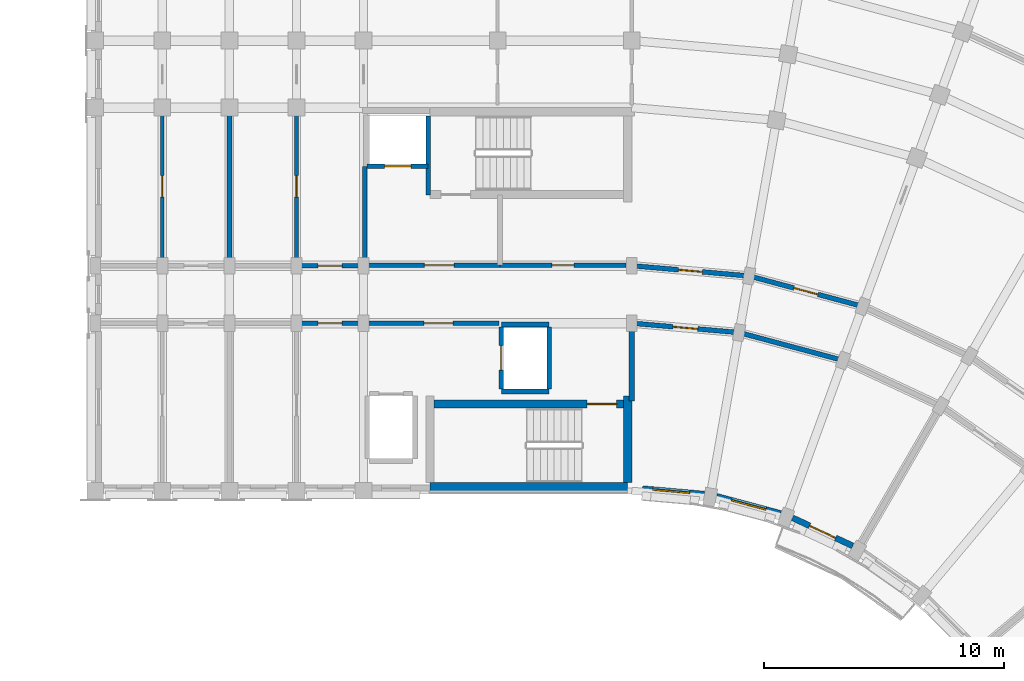
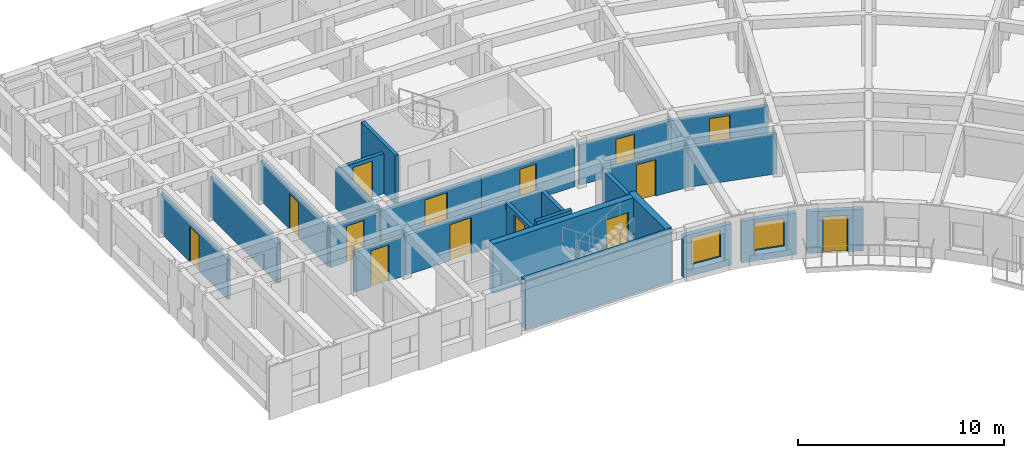
# One storey, part 31 of 57: 26 walls, 14 doors, 2 windows, 16 openings.
"""IFC4 building model written with IfcOpenShell, lengths in metres."""

from ifc_helpers import new_model, si_unit, direction, frame, frame_2d, origin, place, context, subcontext, project, spatial, rectangle, extrude, material, layer, layer_set, type_object, element, fill, save


model = new_model("IFC4")

# Units and contexts
model_context = context("Model", 3, precision=1e-05, world=origin(), true_north=direction((0.0, 1.0)))
body_context = subcontext(model_context, "Body", "Model", "MODEL_VIEW")
ifc_project = project(units=[si_unit("LENGTHUNIT", "METRE"), si_unit("AREAUNIT", "SQUARE_METRE"), si_unit("VOLUMEUNIT", "CUBIC_METRE"), si_unit("PLANEANGLEUNIT", "RADIAN"), si_unit("MASSUNIT", "GRAM", prefix="KILO")], contexts=[model_context])

# Site, building, storey
site_placement = place(None, origin())
site = spatial("IfcSite", under=ifc_project, at=site_placement, CompositionType="ELEMENT")
building_placement = place(site_placement, origin())
building = spatial("IfcBuilding", under=site, at=building_placement, Name="Kiranvali Square Residences", CompositionType="ELEMENT")
storey_placement = place(building_placement, frame((0.0, 0.0, 21.300048828125)))
storey = spatial("IfcBuildingStorey", under=building, at=storey_placement, Name="L06", CompositionType="ELEMENT", Elevation=21.300048828125)

# Wall, opening, door
ifc_material_1 = material(Name="Autoclaved aerated concrete blockwork masonry", Category="masonry")
ifc_layer_1 = layer(ifc_material_1, 0.199951171875)
ifc_layer_set_1 = layer_set([ifc_layer_1], Name="Autoclaved aerated concrete blockwork masonry")
wall_type_1 = type_object("IfcWallType", Name="WL-COR-200", PredefinedType="STANDARD", material=ifc_layer_set_1)
wall_1_placement = place(storey_placement, frame((114.25, 113.60009765625, 0.0), z_axis=(0.0, 0.0, 1.0), x_axis=(-1.0, 0.0, 0.0)))
wall_1 = element("IfcWall", 1, at=wall_1_placement, inside=storey, type_object=wall_type_1, Name="L06 architectural wall WL-L06-B-LL-COR", PredefinedType="STANDARD", context=body_context, shape_type="SweptSolid", body=[
    extrude(rectangle(XDim=5.60009765625, YDim=0.199951171875, at=frame_2d((2.800048828125, 0.0))), origin(), (0.0, 0.0, 1.0), 2.3720703125),
])
opening_1_placement = place(wall_1_placement, frame((1.909912109375, 0.0, 0.0)))
opening_1 = element("IfcOpeningElement", 2, at=opening_1_placement, cuts=wall_1, Name="Opening FD-COR-60", PredefinedType="OPENING", context=body_context, shape_type="SweptSolid", body=[
    extrude(rectangle(XDim=1.219970703125, YDim=2.14990234375, at=frame_2d((0.60986328125, 1.074951171875))), frame((0.0, 0.10986328125, 0.0), z_axis=(0.0, -1.0, 0.0), x_axis=(1.0, 0.0, 0.0)), (0.0, 0.0, 1.0), 0.219970703125),
])
ifc_material_2 = material(Name="Fire-rated acoustic hardwood and mineral-core door assembly", Category="wood")
door_type_1 = type_object("IfcDoorType", Name="DR-FD60-1200", OperationType="NOTDEFINED", PredefinedType="DOOR", material=ifc_material_2)
door_1_placement = place(opening_1_placement, frame((1.219970703125, 0.0, 0.0), z_axis=(0.0, 0.0, 1.0), x_axis=(-1.0, 0.0, 0.0)))
door_1 = element("IfcDoor", 3, at=door_1_placement, inside=storey, type_object=door_type_1, Name="L06 door DR-L06-1334 (DR-FD60-1200)", OperationType="SINGLE_SWING_RIGHT", OverallHeight=2.14990234375, OverallWidth=1.219970703125, PredefinedType="DOOR", context=body_context, shape_type="SweptSolid", body=[
    extrude(rectangle(XDim=1.219970703125, YDim=2.14990234375, at=frame_2d((0.60986328125, 1.074951171875))), frame((0.0, 0.02490234375, 0.0), z_axis=(0.0, -1.0, 0.0), x_axis=(1.0, 0.0, 0.0)), (0.0, 0.0, 1.0), 0.050048828125),
])
fill(opening_1, door_1)

wall_2_placement = place(storey_placement, frame((108.60009765625, 113.60009765625, 0.0), z_axis=(0.0, 0.0, 1.0), x_axis=(-1.0, 0.0, 0.0)))
wall_2 = element("IfcWall", 4, at=wall_2_placement, inside=storey, type_object=wall_type_1, Name="L06 architectural wall WL-L06-B-A1CI-0", PredefinedType="STANDARD", context=body_context, shape_type="SweptSolid", body=[
    extrude(rectangle(XDim=2.800048828125, YDim=0.199951171875, at=frame_2d((1.39990234375, 0.0))), origin(), (0.0, 0.0, 1.0), 2.3720703125),
])
opening_2_placement = place(wall_2_placement, frame((0.89990234375, 0.0, 0.0)))
opening_2 = element("IfcOpeningElement", 5, at=opening_2_placement, cuts=wall_2, Name="Opening FD-APT-60", PredefinedType="OPENING", context=body_context, shape_type="SweptSolid", body=[
    extrude(rectangle(XDim=1.0, YDim=2.14990234375, at=frame_2d((0.5, 1.074951171875))), frame((0.0, 0.10986328125, 0.0), z_axis=(0.0, -1.0, 0.0), x_axis=(1.0, 0.0, 0.0)), (0.0, 0.0, 1.0), 0.219970703125),
])
door_type_2 = type_object("IfcDoorType", Name="DR-APT-1000", OperationType="NOTDEFINED", PredefinedType="DOOR", material=ifc_material_2)
door_2_placement = place(opening_2_placement, frame((1.0, 0.0, 0.0), z_axis=(0.0, 0.0, 1.0), x_axis=(-1.0, 0.0, 0.0)))
door_2 = element("IfcDoor", 6, at=door_2_placement, inside=storey, type_object=door_type_2, Name="L06 door DR-L06-1338 (DR-APT-1000)", OperationType="SINGLE_SWING_RIGHT", OverallHeight=2.14990234375, OverallWidth=1.0, PredefinedType="DOOR", context=body_context, shape_type="SweptSolid", body=[
    extrude(rectangle(XDim=1.0, YDim=2.14990234375, at=frame_2d((0.5, 1.074951171875))), frame((0.0, 0.02490234375, 0.0), z_axis=(0.0, -1.0, 0.0), x_axis=(1.0, 0.0, 0.0)), (0.0, 0.0, 1.0), 0.050048828125),
])
fill(opening_2, door_2)

wall_3_placement = place(storey_placement, frame((108.60009765625, 116.0, 0.0), z_axis=(0.0, 0.0, 1.0), x_axis=(-1.0, 0.0, 0.0)))
wall_3 = element("IfcWall", 7, at=wall_3_placement, inside=storey, type_object=wall_type_1, Name="L06 architectural wall WL-L06-B-A1CO-0", PredefinedType="STANDARD", context=body_context, shape_type="SweptSolid", body=[
    extrude(rectangle(XDim=2.800048828125, YDim=0.199951171875, at=frame_2d((1.39990234375, 0.0))), origin(), (0.0, 0.0, 1.0), 2.3720703125),
])
opening_3_placement = place(wall_3_placement, frame((0.89990234375, 0.0, 0.0)))
opening_3 = element("IfcOpeningElement", 8, at=opening_3_placement, cuts=wall_3, Name="Opening FD-APT-60", PredefinedType="OPENING", context=body_context, shape_type="SweptSolid", body=[
    extrude(rectangle(XDim=1.0, YDim=2.14990234375, at=frame_2d((0.5, 1.074951171875))), frame((0.0, 0.10986328125, 0.0), z_axis=(0.0, -1.0, 0.0), x_axis=(1.0, 0.0, 0.0)), (0.0, 0.0, 1.0), 0.219970703125),
])
door_3_placement = place(opening_3_placement, frame((1.0, 0.0, 0.0), z_axis=(0.0, 0.0, 1.0), x_axis=(-1.0, 0.0, 0.0)))
door_3 = element("IfcDoor", 9, at=door_3_placement, inside=storey, type_object=door_type_2, Name="L06 door DR-L06-1340 (DR-APT-1000)", OperationType="SINGLE_SWING_RIGHT", OverallHeight=2.14990234375, OverallWidth=1.0, PredefinedType="DOOR", context=body_context, shape_type="SweptSolid", body=[
    extrude(rectangle(XDim=1.0, YDim=2.14990234375, at=frame_2d((0.5, 1.074951171875))), frame((0.0, 0.02490234375, 0.0), z_axis=(0.0, -1.0, 0.0), x_axis=(1.0, 0.0, 0.0)), (0.0, 0.0, 1.0), 0.050048828125),
])
fill(opening_3, door_3)

wall_4_placement = place(storey_placement, frame((119.800048828125, 113.60009765625, 0.0), z_axis=(0.0, 0.0, 1.0), x_axis=(0.996191949488, -0.087187153726, 0.0)))
wall_4 = element("IfcWall", 10, at=wall_4_placement, inside=storey, type_object=wall_type_1, Name="L06 architectural wall WL-L06-B-CCI-0", PredefinedType="STANDARD", context=body_context, shape_type="SweptSolid", body=[
    extrude(rectangle(XDim=4.4970703125, YDim=0.199951171875, at=frame_2d((2.24853515625, 0.0))), origin(), (0.0, 0.0, 1.0), 2.3720703125),
])
opening_4_placement = place(wall_4_placement, frame((1.728515625, 0.0, 0.0)))
opening_4 = element("IfcOpeningElement", 11, at=opening_4_placement, cuts=wall_4, Name="Opening FD-APT-60B", PredefinedType="OPENING", context=body_context, shape_type="SweptSolid", body=[
    extrude(rectangle(XDim=1.0400390625, YDim=2.14990234375, at=frame_2d((0.52001953125, 1.074951171875))), frame((0.0, 0.10986328125, 0.0), z_axis=(0.0, -1.0, 0.0), x_axis=(1.0, 0.0, 0.0)), (0.0, 0.0, 1.0), 0.219970703125),
])
door_type_3 = type_object("IfcDoorType", Name="DR-APT-1040", OperationType="NOTDEFINED", PredefinedType="DOOR", material=ifc_material_2)
door_4_placement = place(opening_4_placement, origin())
door_4 = element("IfcDoor", 12, at=door_4_placement, inside=storey, type_object=door_type_3, Name="L06 door DR-L06-1367 (DR-APT-1040)", OperationType="SINGLE_SWING_LEFT", OverallHeight=2.14990234375, OverallWidth=1.0400390625, PredefinedType="DOOR", context=body_context, shape_type="SweptSolid", body=[
    extrude(rectangle(XDim=1.0400390625, YDim=2.14990234375, at=frame_2d((0.52001953125, 1.074951171875))), frame((0.0, 0.02490234375, 0.0), z_axis=(0.0, -1.0, 0.0), x_axis=(1.0, 0.0, 0.0)), (0.0, 0.0, 1.0), 0.050048828125),
])
fill(opening_4, door_4)

wall_5_placement = place(storey_placement, frame((119.800048828125, 116.0, 0.0), z_axis=(0.0, 0.0, 1.0), x_axis=(0.996193663584, -0.087167566415, 0.0)))
wall_5 = element("IfcWall", 13, at=wall_5_placement, inside=storey, type_object=wall_type_1, Name="L06 architectural wall WL-L06-B-CCO-0", PredefinedType="STANDARD", context=body_context, shape_type="SweptSolid", body=[
    extrude(rectangle(XDim=4.91552734375, YDim=0.199951171875, at=frame_2d((2.457763671875, 0.0))), origin(), (0.0, 0.0, 1.0), 2.3720703125),
])
opening_5_placement = place(wall_5_placement, frame((1.957763671875, 0.0, 0.0)))
opening_5 = element("IfcOpeningElement", 14, at=opening_5_placement, cuts=wall_5, Name="Opening FD-APT-60", PredefinedType="OPENING", context=body_context, shape_type="SweptSolid", body=[
    extrude(rectangle(XDim=1.0, YDim=2.14990234375, at=frame_2d((0.5, 1.074951171875))), frame((0.0, 0.10986328125, 0.0), z_axis=(0.0, -1.0, 0.0), x_axis=(1.0, 0.0, 0.0)), (0.0, 0.0, 1.0), 0.219970703125),
])
door_5_placement = place(opening_5_placement, frame((1.0, 0.0, 0.0), z_axis=(0.0, 0.0, 1.0), x_axis=(-1.0, 0.0, 0.0)))
door_5 = element("IfcDoor", 15, at=door_5_placement, inside=storey, type_object=door_type_2, Name="L06 door DR-L06-1358 (DR-APT-1000)", OperationType="SINGLE_SWING_RIGHT", OverallHeight=2.14990234375, OverallWidth=1.0, PredefinedType="DOOR", context=body_context, shape_type="SweptSolid", body=[
    extrude(rectangle(XDim=1.0, YDim=2.14990234375, at=frame_2d((0.5, 1.074951171875))), frame((0.0, 0.02490234375, 0.0), z_axis=(0.0, -1.0, 0.0), x_axis=(1.0, 0.0, 0.0)), (0.0, 0.0, 1.0), 0.050048828125),
])
fill(opening_5, door_5)

# Wall
wall_6_placement = place(storey_placement, frame((124.280029296875, 113.2080078125, 0.0), z_axis=(0.0, 0.0, 1.0), x_axis=(0.965934240054, -0.258787642463, 0.0)))
element("IfcWall", 16, at=wall_6_placement, inside=storey, type_object=wall_type_1, Name="L06 architectural wall WL-L06-B-CCI-1", PredefinedType="STANDARD", context=body_context, shape_type="SweptSolid", body=[
    extrude(rectangle(XDim=4.497314453125, YDim=0.199951171875, at=frame_2d((2.24853515625, 0.0))), origin(), (0.0, 0.0, 1.0), 2.3720703125),
])

# Wall, opening, door
wall_7_placement = place(storey_placement, frame((124.69677734375, 115.571533203125, 0.0), z_axis=(0.0, 0.0, 1.0), x_axis=(0.965930095386, -0.258803112091, 0.0)))
wall_7 = element("IfcWall", 17, at=wall_7_placement, inside=storey, type_object=wall_type_1, Name="L06 architectural wall WL-L06-B-CCO-1", PredefinedType="STANDARD", context=body_context, shape_type="SweptSolid", body=[
    extrude(rectangle(XDim=4.915771484375, YDim=0.199951171875, at=frame_2d((2.4580078125, 0.0))), origin(), (0.0, 0.0, 1.0), 2.3720703125),
])
opening_6_placement = place(wall_7_placement, frame((1.937744140625, 0.0, 0.0)))
opening_6 = element("IfcOpeningElement", 18, at=opening_6_placement, cuts=wall_7, Name="Opening FD-APT-60B", PredefinedType="OPENING", context=body_context, shape_type="SweptSolid", body=[
    extrude(rectangle(XDim=1.0400390625, YDim=2.14990234375, at=frame_2d((0.52001953125, 1.074951171875))), frame((0.0, 0.10986328125, 0.0), z_axis=(0.0, -1.0, 0.0), x_axis=(1.0, 0.0, 0.0)), (0.0, 0.0, 1.0), 0.219970703125),
])
door_6_placement = place(opening_6_placement, origin())
door_6 = element("IfcDoor", 19, at=door_6_placement, inside=storey, type_object=door_type_3, Name="L06 door DR-L06-1359 (DR-APT-1040)", OperationType="SINGLE_SWING_LEFT", OverallHeight=2.14990234375, OverallWidth=1.0400390625, PredefinedType="DOOR", context=body_context, shape_type="SweptSolid", body=[
    extrude(rectangle(XDim=1.0400390625, YDim=2.14990234375, at=frame_2d((0.52001953125, 1.074951171875))), frame((0.0, 0.02490234375, 0.0), z_axis=(0.0, -1.0, 0.0), x_axis=(1.0, 0.0, 0.0)), (0.0, 0.0, 1.0), 0.050048828125),
])
fill(opening_6, door_6)

# Walls
ifc_layer_2 = layer(ifc_material_1, 0.219970703125)
ifc_layer_set_2 = layer_set([ifc_layer_2], Name="Autoclaved aerated concrete blockwork masonry")
wall_type_2 = type_object("IfcWallType", Name="WL-DEM-220", PredefinedType="STANDARD", material=ifc_layer_set_2)
wall_8_placement = place(storey_placement, frame((103.0, 116.050048828125, 0.0), z_axis=(0.0, 0.0, 1.0), x_axis=(0.0, 1.0, 0.0)))
element("IfcWall", 20, at=wall_8_placement, inside=storey, type_object=wall_type_2, Name="L06 architectural wall WL-L06-B-A1TO1-2", PredefinedType="STANDARD", context=body_context, shape_type="SweptSolid", body=[
    extrude(rectangle(XDim=6.530029296875, YDim=0.219970703125, at=frame_2d((3.26513671875, 0.0))), origin(), (0.0, 0.0, 1.0), 2.3720703125),
])
wall_9_placement = place(storey_placement, frame((119.800048828125, 110.35009765625, 0.0), z_axis=(0.0, 0.0, 1.0), x_axis=(0.0, 1.0, 0.0)))
element("IfcWall", 21, at=wall_9_placement, inside=storey, type_object=wall_type_2, Name="L06 architectural wall WL-L06-B-RADI-0", PredefinedType="STANDARD", context=body_context, shape_type="SweptSolid", body=[
    extrude(rectangle(XDim=3.199951171875, YDim=0.219970703125, at=frame_2d((1.60009765625, 0.0))), origin(), (0.0, 0.0, 1.0), 2.3720703125),
])

# Wall, opening, window
ifc_material_3 = material(Name="Breathable lime-rendered clay brick masonry", Category="masonry")
ifc_layer_3 = layer(ifc_material_3, 0.25)
ifc_layer_set_3 = layer_set([ifc_layer_3], Name="Breathable lime-rendered clay brick masonry")
wall_type_3 = type_object("IfcWallType", Name="WL-EXT-250", PredefinedType="STANDARD", material=ifc_layer_set_3)
wall_10_placement = place(storey_placement, frame((120.249267578125, 106.686279296875, 0.0), z_axis=(0.0, 0.0, 1.0), x_axis=(0.996188278786, -0.087229084652, 0.0)))
wall_10 = element("IfcWall", 22, at=wall_10_placement, inside=storey, type_object=wall_type_3, Name="L06 exterior wall B-L06-GDN-00", PredefinedType="STANDARD", context=body_context, shape_type="SweptSolid", body=[
    extrude(rectangle(XDim=2.583251953125, YDim=0.25, at=frame_2d((1.29150390625, 0.0))), origin(), (0.0, 0.0, 1.0), 2.471923828125),
])
opening_7_placement = place(wall_10_placement, frame((0.423583984375, 0.0, 0.672119140625)))
opening_7 = element("IfcOpeningElement", 23, at=opening_7_placement, cuts=wall_10, Name="Opening W-18", PredefinedType="OPENING", context=body_context, shape_type="SweptSolid", body=[
    extrude(rectangle(XDim=1.550048828125, YDim=1.60009765625, at=frame_2d((0.77490234375, 0.800048828125))), frame((0.0, 0.135009765625, 0.0), z_axis=(0.0, -1.0, 0.0), x_axis=(1.0, 0.0, 0.0)), (0.0, 0.0, 1.0), 0.27001953125),
])
ifc_material_4 = material(Name="Solar-control low-e double glazing", Category="glass")
window_type_1 = type_object("IfcWindowType", Name="WIN-GDN-1550x1600", PartitioningType="DOUBLE_PANEL_VERTICAL", PredefinedType="WINDOW", material=ifc_material_4)
window_1_placement = place(opening_7_placement, origin())
window_1 = element("IfcWindow", 24, at=window_1_placement, inside=storey, type_object=window_type_1, Name="L06 recessed window B-L06-GDN-00", OverallHeight=1.60009765625, OverallWidth=1.550048828125, PartitioningType="DOUBLE_PANEL_VERTICAL", PredefinedType="WINDOW", context=body_context, shape_type="SweptSolid", body=[
    extrude(rectangle(XDim=1.550048828125, YDim=1.60009765625, at=frame_2d((0.77490234375, 0.800048828125))), frame((0.0, 0.030029296875, 0.0), z_axis=(0.0, -1.0, 0.0), x_axis=(1.0, 0.0, 0.0)), (0.0, 0.0, 1.0), 0.06005859375),
])
fill(opening_7, window_1)

wall_11_placement = place(storey_placement, frame((123.341796875, 106.369384765625, 0.0), z_axis=(0.0, 0.0, 1.0), x_axis=(0.965935855992, -0.25878161084, 0.0)))
wall_11 = element("IfcWall", 25, at=wall_11_placement, inside=storey, type_object=wall_type_3, Name="L06 exterior wall B-L06-GDN-01", PredefinedType="STANDARD", context=body_context, shape_type="SweptSolid", body=[
    extrude(rectangle(XDim=2.769775390625, YDim=0.25, at=frame_2d((1.384765625, 0.0))), origin(), (0.0, 0.0, 1.0), 2.471923828125),
])
opening_8_placement = place(wall_11_placement, frame((0.635009765625, 0.0, 0.6220703125)))
opening_8 = element("IfcOpeningElement", 26, at=opening_8_placement, cuts=wall_11, Name="Opening W-05", PredefinedType="OPENING", context=body_context, shape_type="SweptSolid", body=[
    extrude(rectangle(XDim=1.5, YDim=1.64990234375, at=frame_2d((0.75, 0.824951171875))), frame((0.0, 0.135009765625, 0.0), z_axis=(0.0, -1.0, 0.0), x_axis=(1.0, 0.0, 0.0)), (0.0, 0.0, 1.0), 0.27001953125),
])
window_type_2 = type_object("IfcWindowType", Name="WIN-RES-1500x1650", PartitioningType="DOUBLE_PANEL_VERTICAL", PredefinedType="WINDOW", material=ifc_material_4)
window_2_placement = place(opening_8_placement, origin())
window_2 = element("IfcWindow", 27, at=window_2_placement, inside=storey, type_object=window_type_2, Name="L06 recessed window B-L06-GDN-01", OverallHeight=1.64990234375, OverallWidth=1.5, PartitioningType="DOUBLE_PANEL_VERTICAL", PredefinedType="WINDOW", context=body_context, shape_type="SweptSolid", body=[
    extrude(rectangle(XDim=1.5, YDim=1.64990234375, at=frame_2d((0.75, 0.824951171875))), frame((0.0, 0.030029296875, 0.0), z_axis=(0.0, -1.0, 0.0), x_axis=(1.0, 0.0, 0.0)), (0.0, 0.0, 1.0), 0.06005859375),
])
fill(opening_8, window_2)

# Wall, opening, door
wall_12_placement = place(storey_placement, frame((126.5126953125, 105.472412109375, 0.0), z_axis=(0.0, 0.0, 1.0), x_axis=(0.906293449611, -0.422649007088, 0.0)))
wall_12 = element("IfcWall", 28, at=wall_12_placement, inside=storey, type_object=wall_type_3, Name="L06 exterior wall B-L06-GDN-02", PredefinedType="STANDARD", context=body_context, shape_type="SweptSolid", body=[
    extrude(rectangle(XDim=2.769775390625, YDim=0.25, at=frame_2d((1.384765625, 0.0))), origin(), (0.0, 0.0, 1.0), 2.471923828125),
])
opening_9_placement = place(wall_12_placement, frame((0.784912109375, 0.0, 0.0)))
opening_9 = element("IfcOpeningElement", 29, at=opening_9_placement, cuts=wall_12, Name="Opening ED-BAL-1", PredefinedType="OPENING", context=body_context, shape_type="SweptSolid", body=[
    extrude(rectangle(XDim=1.199951171875, YDim=2.14990234375, at=frame_2d((0.60009765625, 1.074951171875))), frame((0.0, 0.135009765625, 0.0), z_axis=(0.0, -1.0, 0.0), x_axis=(1.0, 0.0, 0.0)), (0.0, 0.0, 1.0), 0.27001953125),
])
ifc_material_5 = material(Name="Anodised bronze aluminium framing", Category="aluminium")
door_type_4 = type_object("IfcDoorType", Name="DR-BAL-1200", OperationType="NOTDEFINED", PredefinedType="DOOR", material=ifc_material_5)
door_7_placement = place(opening_9_placement, frame((1.199951171875, 0.0, 0.0), z_axis=(0.0, 0.0, 1.0), x_axis=(-1.0, 0.0, 0.0)))
door_7 = element("IfcDoor", 30, at=door_7_placement, inside=storey, type_object=door_type_4, Name="L06 balcony terrace door", OperationType="SINGLE_SWING_RIGHT", OverallHeight=2.14990234375, OverallWidth=1.199951171875, PredefinedType="DOOR", context=body_context, shape_type="SweptSolid", body=[
    extrude(rectangle(XDim=1.199951171875, YDim=2.14990234375, at=frame_2d((0.60009765625, 1.074951171875))), frame((0.0, 0.02490234375, 0.0), z_axis=(0.0, -1.0, 0.0), x_axis=(1.0, 0.0, 0.0)), (0.0, 0.0, 1.0), 0.050048828125),
])
fill(opening_9, door_7)

ifc_layer_4 = layer(ifc_material_1, 0.199951171875)
ifc_layer_set_4 = layer_set([ifc_layer_4], Name="Autoclaved aerated concrete blockwork masonry")
wall_type_4 = type_object("IfcWallType", Name="WL-FFL-200", PredefinedType="STANDARD", material=ifc_layer_set_4)
wall_13_placement = place(storey_placement, frame((114.300048828125, 116.02001953125, 0.0), z_axis=(0.0, 0.0, 1.0), x_axis=(-1.0, 0.0, 0.0)))
wall_13 = element("IfcWall", 31, at=wall_13_placement, inside=storey, type_object=wall_type_4, Name="L06 architectural wall WL-L06-B-FF-COR", PredefinedType="STANDARD", context=body_context, shape_type="SweptSolid", body=[
    extrude(rectangle(XDim=5.650146484375, YDim=0.199951171875, at=frame_2d((2.8251953125, 0.0))), origin(), (0.0, 0.0, 1.0), 2.3720703125),
])
opening_10_placement = place(wall_13_placement, frame((1.922607421875, 0.0, 0.0)))
opening_10 = element("IfcOpeningElement", 32, at=opening_10_placement, cuts=wall_13, Name="Opening FD-ST-120", PredefinedType="OPENING", context=body_context, shape_type="SweptSolid", body=[
    extrude(rectangle(XDim=1.239990234375, YDim=2.14990234375, at=frame_2d((0.6201171875, 1.074951171875))), frame((0.0, 0.10986328125, 0.0), z_axis=(0.0, -1.0, 0.0), x_axis=(1.0, 0.0, 0.0)), (0.0, 0.0, 1.0), 0.219970703125),
])
door_type_5 = type_object("IfcDoorType", Name="DR-FD120-1200", OperationType="NOTDEFINED", PredefinedType="DOOR", material=ifc_material_2)
door_8_placement = place(opening_10_placement, frame((1.239990234375, 0.0, 0.0), z_axis=(0.0, 0.0, 1.0), x_axis=(-1.0, 0.0, 0.0)))
door_8 = element("IfcDoor", 33, at=door_8_placement, inside=storey, type_object=door_type_5, Name="L06 door DR-L06-1326 (DR-FD120-1200)", OperationType="SINGLE_SWING_RIGHT", OverallHeight=2.14990234375, OverallWidth=1.239990234375, PredefinedType="DOOR", context=body_context, shape_type="SweptSolid", body=[
    extrude(rectangle(XDim=1.239990234375, YDim=2.14990234375, at=frame_2d((0.6201171875, 1.074951171875))), frame((0.0, 0.02490234375, 0.0), z_axis=(0.0, -1.0, 0.0), x_axis=(1.0, 0.0, 0.0)), (0.0, 0.0, 1.0), 0.050048828125),
])
fill(opening_10, door_8)

# Wall
wall_14_placement = place(storey_placement, frame((108.64990234375, 116.02001953125, 0.0), z_axis=(0.0, 0.0, 1.0), x_axis=(0.0, 1.0, 0.0)))
element("IfcWall", 34, at=wall_14_placement, inside=storey, type_object=wall_type_4, Name="L06 architectural wall WL-L06-B-FF-END", PredefinedType="STANDARD", context=body_context, shape_type="SweptSolid", body=[
    extrude(rectangle(XDim=4.1298828125, YDim=0.199951171875, at=frame_2d((2.06494140625, 0.0))), origin(), (0.0, 0.0, 1.0), 2.3720703125),
])

# Wall, opening, door
wall_15_placement = place(storey_placement, frame((111.300048828125, 120.14990234375, 0.0), z_axis=(0.0, 0.0, 1.0), x_axis=(-1.0, 0.0, 0.0)))
wall_15 = element("IfcWall", 35, at=wall_15_placement, inside=storey, type_object=wall_type_4, Name="L06 architectural wall WL-L06-B-FF-LFT", PredefinedType="STANDARD", context=body_context, shape_type="SweptSolid", body=[
    extrude(rectangle(XDim=2.550048828125, YDim=0.199951171875, at=frame_2d((1.27490234375, 0.0))), origin(), (0.0, 0.0, 1.0), 2.3720703125),
])
opening_11_placement = place(wall_15_placement, frame((0.72509765625, 0.0, 0.0)))
opening_11 = element("IfcOpeningElement", 36, at=opening_11_placement, cuts=wall_15, Name="Opening LD-FF-110", PredefinedType="OPENING", context=body_context, shape_type="SweptSolid", body=[
    extrude(rectangle(XDim=1.10009765625, YDim=2.14990234375, at=frame_2d((0.550048828125, 1.074951171875))), frame((0.0, 0.10986328125, 0.0), z_axis=(0.0, -1.0, 0.0), x_axis=(1.0, 0.0, 0.0)), (0.0, 0.0, 1.0), 0.219970703125),
])
door_type_6 = type_object("IfcDoorType", Name="DR-LIFT-FF-1100", OperationType="SLIDING_TO_LEFT", PredefinedType="DOOR", material=ifc_material_2)
door_9_placement = place(opening_11_placement, origin())
door_9 = element("IfcDoor", 37, at=door_9_placement, inside=storey, type_object=door_type_6, Name="L06 door DR-L06-1328 (DR-LIFT-FF-1100)", OperationType="SLIDING_TO_LEFT", OverallHeight=2.14990234375, OverallWidth=1.10009765625, PredefinedType="DOOR", context=body_context, shape_type="SweptSolid", body=[
    extrude(rectangle(XDim=1.10009765625, YDim=2.14990234375, at=frame_2d((0.550048828125, 1.074951171875))), frame((0.0, 0.02490234375, 0.0), z_axis=(0.0, -1.0, 0.0), x_axis=(1.0, 0.0, 0.0)), (0.0, 0.0, 1.0), 0.050048828125),
])
fill(opening_11, door_9)

ifc_material_6 = material(Name="Acoustic gypsum board drylined partition", Category="gypsum")
ifc_layer_5 = layer(ifc_material_6, 0.14990234375)
ifc_layer_set_5 = layer_set([ifc_layer_5], Name="Acoustic gypsum board drylined partition")
wall_type_5 = type_object("IfcWallType", Name="WL-PRT-150", PredefinedType="PARTITIONING", material=ifc_layer_set_5)
wall_16_placement = place(storey_placement, frame((105.800048828125, 116.050048828125, 0.0), z_axis=(0.0, 0.0, 1.0), x_axis=(0.0, 1.0, 0.0)))
wall_16 = element("IfcWall", 38, at=wall_16_placement, inside=storey, type_object=wall_type_5, Name="L06 architectural wall WL-L06-B-A1TO1-1", PredefinedType="PARTITIONING", context=body_context, shape_type="SweptSolid", body=[
    extrude(rectangle(XDim=6.530029296875, YDim=0.14990234375, at=frame_2d((3.26513671875, 0.0))), origin(), (0.0, 0.0, 1.0), 2.3720703125),
])
opening_12_placement = place(wall_16_placement, frame((2.81494140625, 0.0, 0.0)))
opening_12 = element("IfcOpeningElement", 39, at=opening_12_placement, cuts=wall_16, Name="Opening ID-1", PredefinedType="OPENING", context=body_context, shape_type="SweptSolid", body=[
    extrude(rectangle(XDim=0.89990234375, YDim=2.10009765625, at=frame_2d((0.449951171875, 1.050048828125))), frame((0.0, 0.0849609375, 0.0), z_axis=(0.0, -1.0, 0.0), x_axis=(1.0, 0.0, 0.0)), (0.0, 0.0, 1.0), 0.169921875),
])
ifc_material_7 = material(Name="Solid seasoned teak hardwood joinery", Category="wood")
door_type_7 = type_object("IfcDoorType", Name="DR-INT-900", OperationType="NOTDEFINED", PredefinedType="DOOR", material=ifc_material_7)
door_10_placement = place(opening_12_placement, frame((0.89990234375, 0.0, 0.0), z_axis=(0.0, 0.0, 1.0), x_axis=(-1.0, 0.0, 0.0)))
door_10 = element("IfcDoor", 40, at=door_10_placement, inside=storey, type_object=door_type_7, Name="L06 door DR-L06-1348 (DR-INT-900)", OperationType="SINGLE_SWING_RIGHT", OverallHeight=2.10009765625, OverallWidth=0.89990234375, PredefinedType="DOOR", context=body_context, shape_type="SweptSolid", body=[
    extrude(rectangle(XDim=0.89990234375, YDim=2.10009765625, at=frame_2d((0.449951171875, 1.050048828125))), frame((0.0, 0.02490234375, 0.0), z_axis=(0.0, -1.0, 0.0), x_axis=(1.0, 0.0, 0.0)), (0.0, 0.0, 1.0), 0.050048828125),
])
fill(opening_12, door_10)

wall_17_placement = place(storey_placement, frame((100.199951171875, 116.050048828125, 0.0), z_axis=(0.0, 0.0, 1.0), x_axis=(0.0, 1.0, 0.0)))
wall_17 = element("IfcWall", 41, at=wall_17_placement, inside=storey, type_object=wall_type_5, Name="L06 architectural wall WL-L06-B-A1TO1-3", PredefinedType="PARTITIONING", context=body_context, shape_type="SweptSolid", body=[
    extrude(rectangle(XDim=6.530029296875, YDim=0.14990234375, at=frame_2d((3.26513671875, 0.0))), origin(), (0.0, 0.0, 1.0), 2.3720703125),
])
opening_13_placement = place(wall_17_placement, frame((2.81494140625, 0.0, 0.0)))
opening_13 = element("IfcOpeningElement", 42, at=opening_13_placement, cuts=wall_17, Name="Opening ID-1", PredefinedType="OPENING", context=body_context, shape_type="SweptSolid", body=[
    extrude(rectangle(XDim=0.89990234375, YDim=2.10009765625, at=frame_2d((0.449951171875, 1.050048828125))), frame((0.0, 0.0849609375, 0.0), z_axis=(0.0, -1.0, 0.0), x_axis=(1.0, 0.0, 0.0)), (0.0, 0.0, 1.0), 0.169921875),
])
door_11_placement = place(opening_13_placement, origin())
door_11 = element("IfcDoor", 43, at=door_11_placement, inside=storey, type_object=door_type_7, Name="L06 door DR-L06-1351 (DR-INT-900)", OperationType="SINGLE_SWING_LEFT", OverallHeight=2.10009765625, OverallWidth=0.89990234375, PredefinedType="DOOR", context=body_context, shape_type="SweptSolid", body=[
    extrude(rectangle(XDim=0.89990234375, YDim=2.10009765625, at=frame_2d((0.449951171875, 1.050048828125))), frame((0.0, 0.02490234375, 0.0), z_axis=(0.0, -1.0, 0.0), x_axis=(1.0, 0.0, 0.0)), (0.0, 0.0, 1.0), 0.050048828125),
])
fill(opening_13, door_11)

ifc_layer_6 = layer(ifc_material_1, 0.199951171875)
ifc_layer_set_6 = layer_set([ifc_layer_6], Name="Autoclaved aerated concrete blockwork masonry")
wall_type_6 = type_object("IfcWallType", Name="WL-SHF-200", PredefinedType="STANDARD", material=ifc_layer_set_6)
wall_18_placement = place(storey_placement, frame((119.550048828125, 116.02001953125, 0.0), z_axis=(0.0, 0.0, 1.0), x_axis=(-1.0, 0.0, 0.0)))
wall_18 = element("IfcWall", 44, at=wall_18_placement, inside=storey, type_object=wall_type_6, Name="L06 architectural wall WL-L06-B-RSR-COR", PredefinedType="STANDARD", context=body_context, shape_type="SweptSolid", body=[
    extrude(rectangle(XDim=5.25, YDim=0.199951171875, at=frame_2d((2.625, 0.0))), origin(), (0.0, 0.0, 1.0), 2.3720703125),
])
opening_14_placement = place(wall_18_placement, frame((2.1650390625, 0.0, 0.0)))
opening_14 = element("IfcOpeningElement", 45, at=opening_14_placement, cuts=wall_18, Name="Opening FD-SVC-120", PredefinedType="OPENING", context=body_context, shape_type="SweptSolid", body=[
    extrude(rectangle(XDim=0.919921875, YDim=2.10009765625, at=frame_2d((0.4599609375, 1.050048828125))), frame((0.0, 0.10986328125, 0.0), z_axis=(0.0, -1.0, 0.0), x_axis=(1.0, 0.0, 0.0)), (0.0, 0.0, 1.0), 0.219970703125),
])
door_type_8 = type_object("IfcDoorType", Name="DR-SVC-900", OperationType="NOTDEFINED", PredefinedType="DOOR", material=ifc_material_2)
door_12_placement = place(opening_14_placement, origin())
door_12 = element("IfcDoor", 46, at=door_12_placement, inside=storey, type_object=door_type_8, Name="L06 door DR-L06-1327 (DR-SVC-900)", OperationType="SINGLE_SWING_LEFT", OverallHeight=2.10009765625, OverallWidth=0.919921875, PredefinedType="DOOR", context=body_context, shape_type="SweptSolid", body=[
    extrude(rectangle(XDim=0.919921875, YDim=2.10009765625, at=frame_2d((0.4599609375, 1.050048828125))), frame((0.0, 0.02490234375, 0.0), z_axis=(0.0, -1.0, 0.0), x_axis=(1.0, 0.0, 0.0)), (0.0, 0.0, 1.0), 0.050048828125),
])
fill(opening_14, door_12)

# Walls
wall_19_placement = place(storey_placement, frame((111.300048828125, 118.949951171875, 0.0), z_axis=(0.0, 0.0, 1.0), x_axis=(0.0, 1.0, 0.0)))
element("IfcWall", 47, at=wall_19_placement, inside=storey, type_object=wall_type_6, Name="L06 architectural wall WL-L06-B-FF-SHF", PredefinedType="STANDARD", context=body_context, shape_type="SweptSolid", body=[
    extrude(rectangle(XDim=3.300048828125, YDim=0.199951171875, at=frame_2d((1.64990234375, 0.0))), origin(), (0.0, 0.0, 1.0), 2.929931640625),
])
wall_20_placement = place(storey_placement, frame((116.35009765625, 110.75, 0.0), z_axis=(0.0, 0.0, 1.0), x_axis=(-1.0, 0.0, 0.0)))
element("IfcWall", 48, at=wall_20_placement, inside=storey, type_object=wall_type_6, Name="L06 architectural wall WL-L06-B-LP2-S0", PredefinedType="STANDARD", context=body_context, shape_type="SweptSolid", body=[
    extrude(rectangle(XDim=2.0, YDim=0.199951171875, at=frame_2d((1.0, 0.0))), origin(), (0.0, 0.0, 1.0), 2.929931640625),
])
wall_21_placement = place(storey_placement, frame((116.35009765625, 113.550048828125, 0.0), z_axis=(0.0, 0.0, 1.0), x_axis=(-1.0, 0.0, 0.0)))
element("IfcWall", 49, at=wall_21_placement, inside=storey, type_object=wall_type_6, Name="L06 architectural wall WL-L06-B-LP2-B", PredefinedType="STANDARD", context=body_context, shape_type="SweptSolid", body=[
    extrude(rectangle(XDim=2.0, YDim=0.199951171875, at=frame_2d((1.0, 0.0))), origin(), (0.0, 0.0, 1.0), 2.3720703125),
])
wall_22_placement = place(storey_placement, frame((116.35009765625, 110.85009765625, 0.0), z_axis=(0.0, 0.0, 1.0), x_axis=(0.0, 1.0, 0.0)))
element("IfcWall", 50, at=wall_22_placement, inside=storey, type_object=wall_type_6, Name="L06 architectural wall WL-L06-B-LP2-S1", PredefinedType="STANDARD", context=body_context, shape_type="SweptSolid", body=[
    extrude(rectangle(XDim=2.599853515625, YDim=0.199951171875, at=frame_2d((1.2998046875, 0.0))), origin(), (0.0, 0.0, 1.0), 2.3720703125),
])

# Wall, opening, door
wall_23_placement = place(storey_placement, frame((114.35009765625, 110.85009765625, 0.0), z_axis=(0.0, 0.0, 1.0), x_axis=(0.0, 1.0, 0.0)))
wall_23 = element("IfcWall", 51, at=wall_23_placement, inside=storey, type_object=wall_type_6, Name="L06 architectural wall WL-L06-B-LP2-F", PredefinedType="STANDARD", context=body_context, shape_type="SweptSolid", body=[
    extrude(rectangle(XDim=2.599853515625, YDim=0.199951171875, at=frame_2d((1.2998046875, 0.0))), origin(), (0.0, 0.0, 1.0), 2.3720703125),
])
opening_15_placement = place(wall_23_placement, frame((0.7900390625, 0.0, 0.0)))
opening_15 = element("IfcOpeningElement", 52, at=opening_15_placement, cuts=wall_23, Name="Opening LD-PAX-100", PredefinedType="OPENING", context=body_context, shape_type="SweptSolid", body=[
    extrude(rectangle(XDim=1.02001953125, YDim=2.14990234375, at=frame_2d((0.510009765625, 1.074951171875))), frame((0.0, 0.10986328125, 0.0), z_axis=(0.0, -1.0, 0.0), x_axis=(1.0, 0.0, 0.0)), (0.0, 0.0, 1.0), 0.219970703125),
])
door_type_9 = type_object("IfcDoorType", Name="DR-LIFT-1000", OperationType="SLIDING_TO_RIGHT", PredefinedType="DOOR", material=ifc_material_2)
door_13_placement = place(opening_15_placement, origin())
door_13 = element("IfcDoor", 53, at=door_13_placement, inside=storey, type_object=door_type_9, Name="L06 door DR-L06-1333 (DR-LIFT-1000)", OperationType="SLIDING_TO_RIGHT", OverallHeight=2.14990234375, OverallWidth=1.02001953125, PredefinedType="DOOR", context=body_context, shape_type="SweptSolid", body=[
    extrude(rectangle(XDim=1.02001953125, YDim=2.14990234375, at=frame_2d((0.510009765625, 1.074951171875))), frame((0.0, 0.02490234375, 0.0), z_axis=(0.0, -1.0, 0.0), x_axis=(1.0, 0.0, 0.0)), (0.0, 0.0, 1.0), 0.050048828125),
])
fill(opening_15, door_13)

# Wall
ifc_material_8 = material(Name="Concrete M45 (45 MPa)", Category="concrete")
ifc_layer_7 = layer(ifc_material_8, 0.320068359375)
ifc_layer_set_7 = layer_set([ifc_layer_7], Name="Concrete M45 (45 MPa)")
wall_type_7 = type_object("IfcWallType", Name="WL-SHR-320", PredefinedType="SHEAR", material=ifc_layer_set_7)
wall_24_placement = place(storey_placement, frame((119.625, 106.77490234375, 0.0), z_axis=(0.0, 0.0, 1.0), x_axis=(-1.0, 0.0, 0.0)))
element("IfcWall", 54, at=wall_24_placement, inside=storey, type_object=wall_type_7, Name="Block B core shear wall SW-B2-OUT-L06", PredefinedType="SHEAR", context=body_context, shape_type="SweptSolid", body=[
    extrude(rectangle(XDim=8.25, YDim=0.35009765625, at=frame_2d((4.125, 0.0))), origin(), (0.0, 0.0, 1.0), 2.929931640625),
])

# Wall, opening, door
wall_25_placement = place(storey_placement, frame((119.449951171875, 110.22509765625, 0.0), z_axis=(0.0, 0.0, 1.0), x_axis=(-1.0, 0.0, 0.0)))
wall_25 = element("IfcWall", 55, at=wall_25_placement, inside=storey, type_object=wall_type_7, Name="Block B core shear wall SW-B2-IN-L06", PredefinedType="SHEAR", context=body_context, shape_type="SweptSolid", body=[
    extrude(rectangle(XDim=7.89990234375, YDim=0.35009765625, at=frame_2d((3.949951171875, 0.0))), origin(), (0.0, 0.0, 1.0), 2.929931640625),
])
opening_16_placement = place(wall_25_placement, frame((0.280029296875, 0.0, 0.0)))
opening_16 = element("IfcOpeningElement", 56, at=opening_16_placement, cuts=wall_25, Name="Opening FD-ST-120", PredefinedType="OPENING", context=body_context, shape_type="SweptSolid", body=[
    extrude(rectangle(XDim=1.239990234375, YDim=2.14990234375, at=frame_2d((0.6201171875, 1.074951171875))), frame((0.0, 0.18505859375, 0.0), z_axis=(0.0, -1.0, 0.0), x_axis=(1.0, 0.0, 0.0)), (0.0, 0.0, 1.0), 0.3701171875),
])
door_14_placement = place(opening_16_placement, origin())
door_14 = element("IfcDoor", 57, at=door_14_placement, inside=storey, type_object=door_type_5, Name="L06 door DR-L06-1330 (DR-FD120-1200)", OperationType="SINGLE_SWING_RIGHT", OverallHeight=2.14990234375, OverallWidth=1.239990234375, PredefinedType="DOOR", context=body_context, shape_type="SweptSolid", body=[
    extrude(rectangle(XDim=1.239990234375, YDim=2.14990234375, at=frame_2d((0.6201171875, 1.074951171875))), frame((0.0, 0.02490234375, 0.0), z_axis=(0.0, -1.0, 0.0), x_axis=(1.0, 0.0, 0.0)), (0.0, 0.0, 1.0), 0.050048828125),
])
fill(opening_16, door_14)

# Wall
wall_26_placement = place(storey_placement, frame((119.625, 106.949951171875, 0.0), z_axis=(0.0, 0.0, 1.0), x_axis=(0.0, 1.0, 0.0)))
element("IfcWall", 58, at=wall_26_placement, inside=storey, type_object=wall_type_7, Name="Block B core shear wall SW-B2-NEAR-L06", PredefinedType="SHEAR", context=body_context, shape_type="SweptSolid", body=[
    extrude(rectangle(XDim=3.60009765625, YDim=0.35009765625, at=frame_2d((1.800048828125, 0.0))), origin(), (0.0, 0.0, 1.0), 2.929931640625),
])

save(model, "model.ifc")
